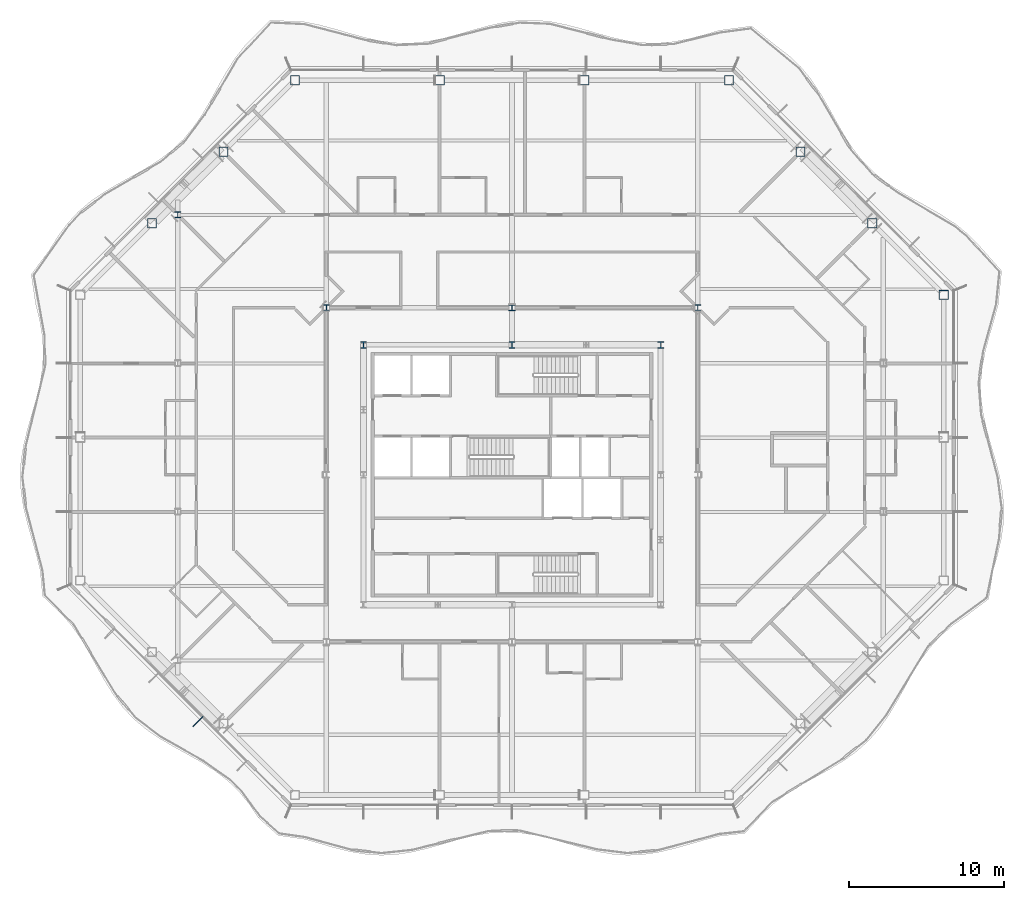
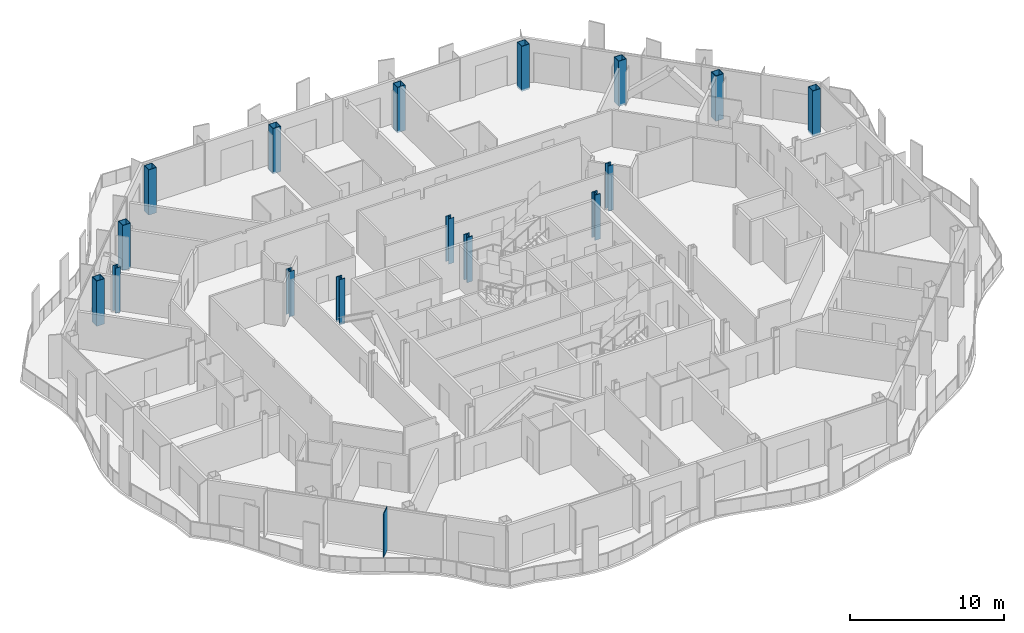
# One storey, part 2 of 21: 16 columns, 1 member, 1 element without a shape of its own.
"""IFC4 building model written with IfcOpenShell, lengths in metres."""

from ifc_helpers import new_model, si_unit, direction, frame, origin, origin_2d, place, context, subcontext, project, spatial, rectangle, hollow_rectangle, i_section, extrude, material, material_profile, profile_set, type_object, element, aggregate, save


model = new_model("IFC4")

# Units and contexts
model_context = context("Model", 3, precision=1e-05, world=origin(), true_north=direction((0.0, 1.0)))
body_context = subcontext(model_context, "Body", "Model", "MODEL_VIEW")
ifc_project = project(units=[si_unit("LENGTHUNIT", "METRE"), si_unit("AREAUNIT", "SQUARE_METRE"), si_unit("VOLUMEUNIT", "CUBIC_METRE"), si_unit("PLANEANGLEUNIT", "RADIAN"), si_unit("MASSUNIT", "GRAM", prefix="KILO")], contexts=[model_context])

# Site, building, storey
site_placement = place(None, origin())
site = spatial("IfcSite", under=ifc_project, at=site_placement, CompositionType="ELEMENT")
building_placement = place(site_placement, origin())
building = spatial("IfcBuilding", under=site, at=building_placement, Name="Cairn Pilgrim Tower", CompositionType="ELEMENT")
storey_placement = place(building_placement, frame((0.0, 0.0, 157.800048828125)))
storey = spatial("IfcBuildingStorey", under=building, at=storey_placement, Name="L39", CompositionType="ELEMENT", Elevation=157.800048828125)

# Columns
ifc_material_1 = material(Name="Structural steel S460M", Category="steel")
ifc_material_profile_1 = material_profile(ifc_material_1, hollow_rectangle(XDim=0.60009765625, YDim=0.60009765625, WallThickness=0.034912109375, at=origin_2d()), Name="BOX 600x600x35")
ifc_profile_set_1 = profile_set([ifc_material_profile_1], Name="Structural steel S460M")
column_type_1 = type_object("IfcColumnType", Name="BOX 600x600x35", PredefinedType="COLUMN", material=ifc_profile_set_1)
for number, where, z_axis, x_axis, name in (
    (1, (35.10009765625, 14.027099609375, -0.150146484375), (0.0, 0.0, 1.0), (1.0, 0.0, 0.0), "PC2-NE1"),
    (2, (30.4755859375, 18.651611328125, -0.150146484375), (0.0, 0.0, 1.0), (1.0, 0.0, 0.0), "PC2-NE2"),
    (3, (25.8515625, 23.275634765625, -0.150146484375), (0.0, 0.0, 1.0), (1.0, 0.0, 0.0), "PC2-NE3"),
    (4, (21.227294921875, 27.89990234375, -0.150146484375), (0.0, 0.0, 1.0), (1.0, 0.0, 0.0), "PC2-N1"),
    (5, (11.875732421875, 27.89990234375, -0.150146484375), (0.0, 0.0, 1.0), (1.0, 0.0, 0.0), "PC2-N2"),
    (6, (2.5244140625, 27.89990234375, -0.150146484375), (0.0, 0.0, 1.0), (1.0, 0.0, 0.0), "PC2-N3"),
    (7, (-6.8271484375, 27.89990234375, -0.150146484375), (0.0, 0.0, 1.0), (1.0, 0.0, 0.0), "PC2-NW1"),
    (8, (-11.451416015625, 23.275634765625, -0.150146484375), (0.0, 0.0, 1.0), (1.0, 0.0, 0.0), "PC2-NW2"),
    (9, (-16.07568359375, 18.651611328125, -0.150146484375), (0.0, 0.0, 1.0), (1.0, 0.0, 0.0), "PC2-NW3"),
):
    element("IfcColumn", number, at=place(storey_placement, frame(where, z_axis=z_axis, x_axis=x_axis)), inside=storey, type_object=column_type_1, Name=name, PredefinedType="COLUMN", context=body_context, shape_type="SweptSolid", body=[
        extrude(hollow_rectangle(XDim=0.60009765625, YDim=0.60009765625, WallThickness=0.034912109375, at=origin_2d()), origin(), (0.0, 0.0, 1.0), 3.60009765625),
    ])
ifc_material_2 = material(Name="Structural steel S355J2", Category="steel")
ifc_material_profile_2 = material_profile(ifc_material_2, i_section(OverallWidth=0.39892578125, OverallDepth=0.39306640625, WebThickness=0.022705078125, FlangeThickness=0.03662109375, FilletRadius=0.014892578125, at=origin_2d()), Name="HD 400x287")
ifc_profile_set_2 = profile_set([ifc_material_profile_2], Name="Structural steel S355J2")
column_type_2 = type_object("IfcColumnType", Name="HD 400x287", PredefinedType="COLUMN", material=ifc_profile_set_2)
for number, where, z_axis, x_axis, name in (
    (10, (-4.800048828125, 13.199951171875, -0.150146484375), (0.0, 0.0, 1.0), (1.0, 0.0, 0.0), "IC-6"),
    (11, (7.199951171875, 13.199951171875, -0.150146484375), (0.0, 0.0, 1.0), (1.0, 0.0, 0.0), "IC-7"),
    (12, (19.199951171875, 13.199951171875, -0.150146484375), (0.0, 0.0, 1.0), (1.0, 0.0, 0.0), "IC-8"),
    (13, (-14.39990234375, 19.199951171875, -0.150146484375), (0.0, 0.0, 1.0), (1.0, 0.0, 0.0), "WC-WW+4"),
):
    element("IfcColumn", number, at=place(storey_placement, frame(where, z_axis=z_axis, x_axis=x_axis)), inside=storey, type_object=column_type_2, Name=name, PredefinedType="COLUMN", context=body_context, shape_type="SweptSolid", body=[
        extrude(i_section(OverallWidth=0.39892578125, OverallDepth=0.39306640625, WebThickness=0.022705078125, FlangeThickness=0.03662109375, FilletRadius=0.014892578125, at=origin_2d()), origin(), (0.0, 0.0, 1.0), 3.60009765625),
    ])
ifc_material_profile_3 = material_profile(ifc_material_1, i_section(OverallWidth=0.416015625, OverallDepth=0.446044921875, WebThickness=0.0390625, FlangeThickness=0.062744140625, FilletRadius=0.014892578125, at=origin_2d()), Name="HD 400x509")
ifc_profile_set_3 = profile_set([ifc_material_profile_3], Name="Structural steel S460M")
column_type_3 = type_object("IfcColumnType", Name="HD 400x509", PredefinedType="COLUMN", material=ifc_profile_set_3)
for number, where, z_axis, x_axis, name in (
    (14, (-2.39990234375, 10.800048828125, -0.150146484375), (0.0, 0.0, 1.0), (1.0, 0.0, 0.0), "KC-6"),
    (15, (7.199951171875, 10.800048828125, -0.150146484375), (0.0, 0.0, 1.0), (1.0, 0.0, 0.0), "KC-7"),
    (16, (16.800048828125, 10.800048828125, -0.150146484375), (0.0, 0.0, 1.0), (1.0, 0.0, 0.0), "KC-8"),
):
    element("IfcColumn", number, at=place(storey_placement, frame(where, z_axis=z_axis, x_axis=x_axis)), inside=storey, type_object=column_type_3, Name=name, PredefinedType="COLUMN", context=body_context, shape_type="SweptSolid", body=[
        extrude(i_section(OverallWidth=0.416015625, OverallDepth=0.446044921875, WebThickness=0.0390625, FlangeThickness=0.062744140625, FilletRadius=0.014892578125, at=origin_2d()), origin(), (0.0, 0.0, 1.0), 3.60009765625),
    ])

# Curtain wall, member
ifc_material_3 = material(Name="Aluminium alloy 6063-T6 bronze anodised with Bronze tinted laminated low-E glass 8+16+8.8", Category="aluminium")
curtain_wall_type = type_object("IfcCurtainWallType", Name="CHAMFER CORNER CURTAIN WALL", PredefinedType="NOTDEFINED", material=ifc_material_3)
curtain_wall_placement = place(storey_placement, origin())
curtain_wall = element("IfcCurtainWall", 17, at=curtain_wall_placement, inside=storey, type_object=curtain_wall_type, Name="Chamfer Corner Curtain Wall SW", PredefinedType="NOTDEFINED")
ifc_material_4 = material(Name="Aluminium alloy 6063-T6 bronze anodised", Category="aluminium")
ifc_material_profile_4 = material_profile(ifc_material_4, rectangle(XDim=0.89990234375, YDim=0.06005859375, at=origin_2d()), Name="FIN MULLION 60x900 BRONZE")
ifc_profile_set_4 = profile_set([ifc_material_profile_4], Name="Aluminium alloy 6063-T6 bronze anodised")
member_type = type_object("IfcMemberType", Name="FIN MULLION 60x900 BRONZE", PredefinedType="MULLION", material=ifc_profile_set_4)
member_placement = place(storey_placement, frame((-13.094970703125, -13.545654296875, 0.0), z_axis=(0.0, 0.0, 1.0), x_axis=(-0.707106781187, -0.707106781187, 0.0)))
member = element("IfcMember", 18, at=member_placement, type_object=member_type, Name="Fin mullion SW4", PredefinedType="MULLION", context=body_context, shape_type="SweptSolid", body=[
    extrude(rectangle(XDim=0.89990234375, YDim=0.06005859375, at=origin_2d()), origin(), (0.0, 0.0, 1.0), 3.449951171875),
])
aggregate(curtain_wall, [member])

save(model, "model.ifc")
